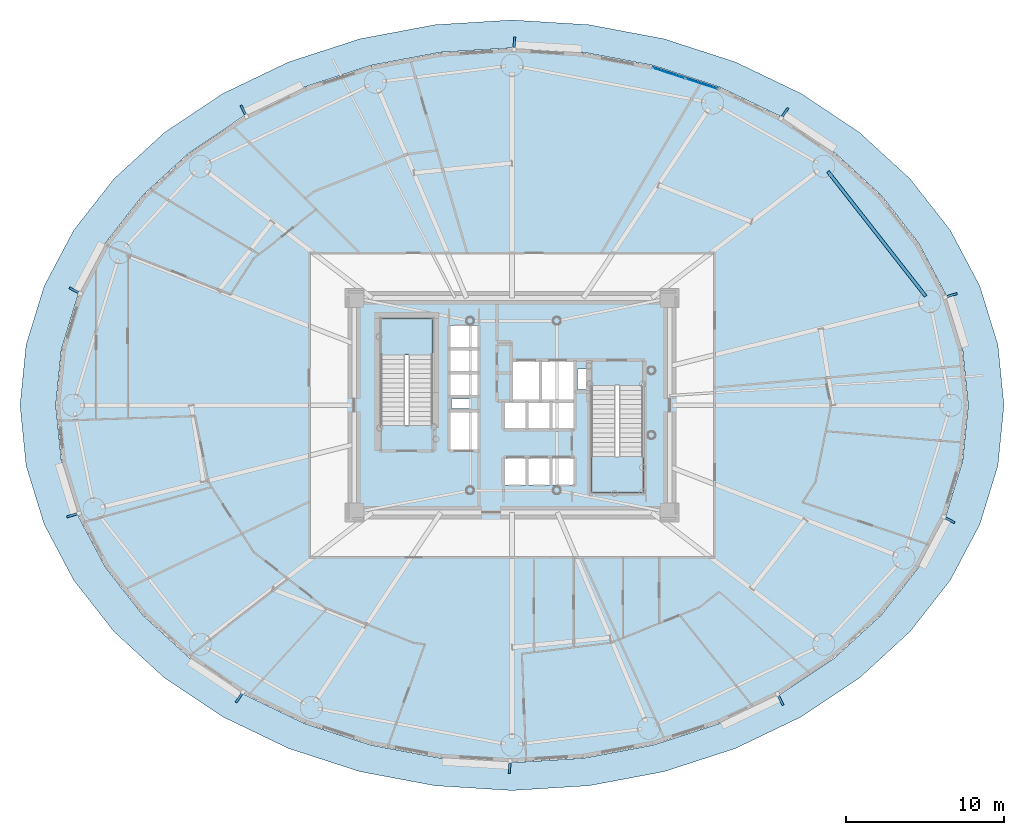
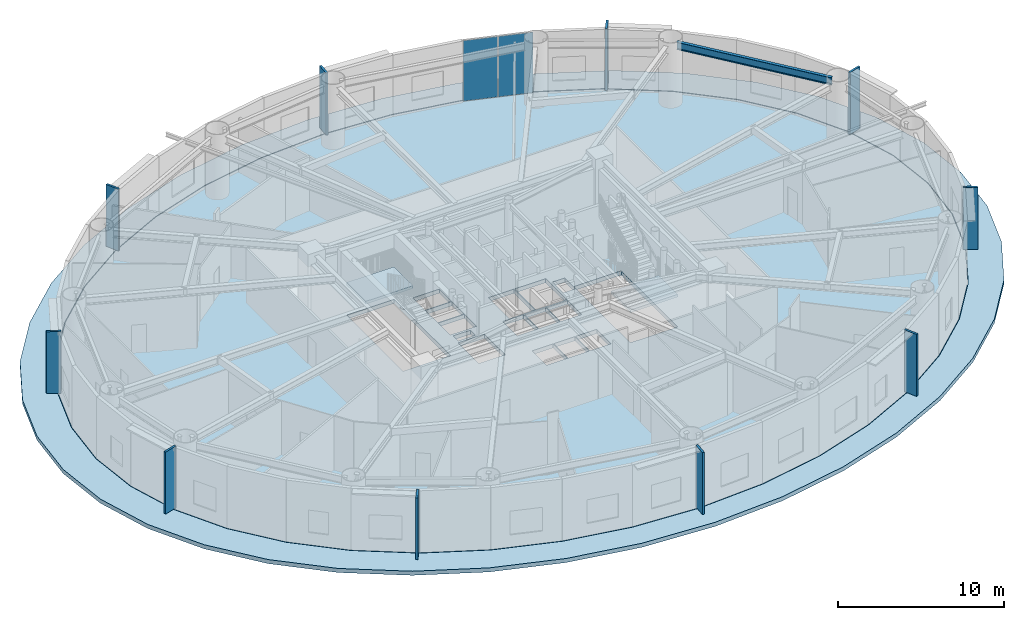
# One storey, part 6 of 19: 12 plates, 4 slabs, 1 beam, 3 elements without a shape of their own.
"""IFC4 building model written with IfcOpenShell, lengths in metres."""

from ifc_helpers import new_model, si_unit, direction, frame, origin, origin_2d, place, context, subcontext, project, spatial, polyline, rectangle, i_section, outline, extrude, source, transform, mapped, material, layer, layer_set, material_profile, profile_set, type_object, element, aggregate, save


model = new_model("IFC4")

# Units and contexts
model_context = context("Model", 3, precision=1e-05, world=origin(), true_north=direction((0.0, 1.0)))
body_context = subcontext(model_context, "Body", "Model", "MODEL_VIEW")
ifc_project = project(units=[si_unit("LENGTHUNIT", "METRE"), si_unit("AREAUNIT", "SQUARE_METRE"), si_unit("VOLUMEUNIT", "CUBIC_METRE"), si_unit("PLANEANGLEUNIT", "RADIAN"), si_unit("MASSUNIT", "GRAM", prefix="KILO")], contexts=[model_context])

# Site, building, storey
site_placement = place(None, origin())
site = spatial("IfcSite", under=ifc_project, at=site_placement, CompositionType="ELEMENT")
building_placement = place(site_placement, origin())
building = spatial("IfcBuilding", under=site, at=building_placement, Name="Linh Dai School and Residence Tower", CompositionType="ELEMENT")
storey_placement = place(building_placement, frame((0.0, 0.0, 92.39990234375)))
storey = spatial("IfcBuildingStorey", under=building, at=storey_placement, Name="L21", CompositionType="ELEMENT", Elevation=92.39990234375)

# Beam
ifc_material_1 = material(Name="Structural Steel S355JR", Category="steel")
ifc_material_profile = material_profile(ifc_material_1, i_section(OverallWidth=0.2099609375, OverallDepth=0.550048828125, WebThickness=0.010986328125, FlangeThickness=0.01708984375, FilletRadius=0.02392578125, at=origin_2d()), Name="IPE 550")
ifc_profile_set = profile_set([ifc_material_profile], Name="Structural Steel S355JR")
beam_type = type_object("IfcBeamType", Name="BM-RB55", PredefinedType="BEAM", material=ifc_profile_set)
beam_placement = place(storey_placement, frame((62.233642578125, 33.91162109375, 4.275146484375), z_axis=(-0.616854830973, 0.787076945098, 0.0), x_axis=(-0.787076945098, -0.616854830973, 0.0)))
element("IfcBeam", 1, at=beam_placement, inside=storey, type_object=beam_type, Name="L21 Perimeter Elliptical Ring Beam 02", PredefinedType="BEAM", context=body_context, shape_type="SweptSolid", body=[
    extrude(i_section(OverallWidth=0.2099609375, OverallDepth=0.550048828125, WebThickness=0.010986328125, FlangeThickness=0.01708984375, FilletRadius=0.02392578125, at=origin_2d()), origin(), (0.0, 0.0, 1.0), 10.053955078125),
])

# Slabs
ifc_material_2 = material(Name="Concrete B45 (C35/45)", Category="concrete")
ifc_layer_1 = layer(ifc_material_2, 0.300048828125)
ifc_layer_set_1 = layer_set([ifc_layer_1], Name="Concrete B45 (C35/45)")
slab_type_1 = type_object("IfcSlabType", Name="SLB-FLR300", PredefinedType="FLOOR", material=ifc_layer_set_1)
slab_1_placement = place(storey_placement, frame((0.0, 0.0, -0.2998046875)))
element("IfcSlab", 2, at=slab_1_placement, inside=storey, type_object=slab_type_1, Name="L21 Composite Structural Floor Slab", PredefinedType="FLOOR", context=body_context, shape_type="SweptSolid", body=[
    extrude(outline(polyline([(64.89990234375, 27.0), (64.544189453125, 30.5400390625), (63.485595703125, 33.9931640625), (61.75, 37.27392578125), (59.380615234375, 40.301513671875), (56.435302734375, 43.001708984375), (52.987060546875, 45.30810546875), (49.120361328125, 47.16357421875), (44.9306640625, 48.5224609375), (40.52099609375, 49.351318359375), (36.0, 49.6298828125), (31.47900390625, 49.351318359375), (27.0693359375, 48.5224609375), (22.879638671875, 47.16357421875), (19.012939453125, 45.30810546875), (15.564697265625, 43.001708984375), (12.619384765625, 40.301513671875), (10.25, 37.27392578125), (8.514404296875, 33.9931640625), (7.455810546875, 30.5400390625), (7.10009765625, 27.0), (7.455810546875, 23.4599609375), (8.514404296875, 20.0068359375), (10.25, 16.72607421875), (12.619384765625, 13.698486328125), (15.564697265625, 10.998291015625), (19.012939453125, 8.69189453125), (22.879638671875, 6.83642578125), (27.0693359375, 5.4775390625), (31.47900390625, 4.648681640625), (36.0, 4.3701171875), (40.52099609375, 4.648681640625), (44.9306640625, 5.4775390625), (49.120361328125, 6.83642578125), (52.987060546875, 8.69189453125), (56.435302734375, 10.998291015625), (59.380615234375, 13.698486328125), (61.75, 16.72607421875), (63.485595703125, 20.0068359375), (64.544189453125, 23.4599609375), (64.89990234375, 27.0)]), holes=[polyline([(30.97998046875, 25.699951171875), (30.97998046875, 32.5), (27.679931640625, 32.5), (27.679931640625, 25.699951171875), (30.97998046875, 25.699951171875)]), polyline([(41.02001953125, 28.25), (41.02001953125, 21.449951171875), (44.320068359375, 21.449951171875), (44.320068359375, 28.25), (41.02001953125, 28.25)]), polyline([(35.97998046875, 27.280029296875), (37.77001953125, 27.280029296875), (37.77001953125, 29.820068359375), (35.97998046875, 29.820068359375), (35.97998046875, 27.280029296875)]), polyline([(32.030029296875, 24.1298828125), (33.8701171875, 24.1298828125), (33.8701171875, 26.6201171875), (32.030029296875, 26.6201171875), (32.030029296875, 24.1298828125)]), polyline([(37.830078125, 27.280029296875), (39.969970703125, 27.280029296875), (39.969970703125, 29.820068359375), (37.830078125, 29.820068359375), (37.830078125, 27.280029296875)]), polyline([(35.47998046875, 21.929931640625), (36.929931640625, 21.929931640625), (36.929931640625, 23.669921875), (35.47998046875, 23.669921875), (35.47998046875, 21.929931640625)]), polyline([(36.989990234375, 21.929931640625), (38.449951171875, 21.929931640625), (38.449951171875, 23.669921875), (36.989990234375, 23.669921875), (36.989990234375, 21.929931640625)]), polyline([(38.510009765625, 21.929931640625), (39.969970703125, 21.929931640625), (39.969970703125, 23.669921875), (38.510009765625, 23.669921875), (38.510009765625, 21.929931640625)]), polyline([(32.030029296875, 27.580078125), (33.8701171875, 27.580078125), (33.8701171875, 29.030029296875), (32.030029296875, 29.030029296875), (32.030029296875, 27.580078125)]), polyline([(32.030029296875, 29.090087890625), (33.8701171875, 29.090087890625), (33.8701171875, 30.550048828125), (32.030029296875, 30.550048828125), (32.030029296875, 29.090087890625)]), polyline([(32.030029296875, 30.610107421875), (33.8701171875, 30.610107421875), (33.8701171875, 32.070068359375), (32.030029296875, 32.070068359375), (32.030029296875, 30.610107421875)]), polyline([(35.47998046875, 25.47998046875), (36.929931640625, 25.47998046875), (36.929931640625, 27.219970703125), (35.47998046875, 27.219970703125), (35.47998046875, 25.47998046875)]), polyline([(36.989990234375, 25.47998046875), (38.449951171875, 25.47998046875), (38.449951171875, 27.219970703125), (36.989990234375, 27.219970703125), (36.989990234375, 25.47998046875)]), polyline([(38.510009765625, 25.47998046875), (39.969970703125, 25.47998046875), (39.969970703125, 27.219970703125), (38.510009765625, 27.219970703125), (38.510009765625, 25.47998046875)]), polyline([(40.14990234375, 28.0), (40.14990234375, 29.300048828125), (41.0, 29.300048828125), (41.0, 28.280029296875), (40.989990234375, 28.280029296875), (40.989990234375, 28.0), (40.14990234375, 28.0)]), polyline([(32.14990234375, 26.800048828125), (33.35009765625, 26.800048828125), (33.35009765625, 27.39990234375), (32.14990234375, 27.39990234375), (32.14990234375, 26.800048828125)])]), origin(), (0.0, 0.0, 1.0), 0.2998046875),
])
ifc_layer_2 = layer(ifc_material_2, 0.300048828125)
ifc_layer_set_2 = layer_set([ifc_layer_2], Name="Concrete B45 (C35/45)")
slab_type_2 = type_object("IfcSlabType", Name="SLB-ROOF300", PredefinedType="ROOF", material=ifc_layer_set_2)
slab_2_placement = place(storey_placement, frame((0.0, 0.0, -0.2998046875)))
element("IfcSlab", 3, at=slab_2_placement, inside=storey, type_object=slab_type_2, Name="L21 Setback Step Insulated Roof Slab", PredefinedType="ROOF", context=body_context, shape_type="SweptSolid", body=[
    extrude(outline(polyline([(67.199951171875, 27.0), (66.81591796875, 30.82177734375), (65.6728515625, 34.54931640625), (63.79931640625, 38.091064453125), (61.2412109375, 41.359619140625), (58.061767578125, 44.274658203125), (54.3388671875, 46.764404296875), (50.16455078125, 48.767333984375), (45.641357421875, 50.234375), (40.880859375, 51.129150390625), (36.0, 51.429931640625), (31.119140625, 51.129150390625), (26.358642578125, 50.234375), (21.83544921875, 48.767333984375), (17.6611328125, 46.764404296875), (13.938232421875, 44.274658203125), (10.7587890625, 41.359619140625), (8.20068359375, 38.091064453125), (6.3271484375, 34.54931640625), (5.18408203125, 30.82177734375), (4.800048828125, 27.0), (5.18408203125, 23.17822265625), (6.3271484375, 19.45068359375), (8.20068359375, 15.908935546875), (10.7587890625, 12.640380859375), (13.938232421875, 9.725341796875), (17.6611328125, 7.235595703125), (21.83544921875, 5.232666015625), (26.358642578125, 3.765625), (31.119140625, 2.870849609375), (36.0, 2.570068359375), (40.880859375, 2.870849609375), (45.641357421875, 3.765625), (50.16455078125, 5.232666015625), (54.3388671875, 7.235595703125), (58.061767578125, 9.725341796875), (61.2412109375, 12.640380859375), (63.79931640625, 15.908935546875), (65.6728515625, 19.45068359375), (66.81591796875, 23.17822265625), (67.199951171875, 27.0)]), holes=[polyline([(64.929931640625, 27.0), (64.57373046875, 30.544921875), (63.51416015625, 34.00244140625), (61.77685546875, 37.287353515625), (59.40478515625, 40.3193359375), (56.45654296875, 43.02294921875), (53.004638671875, 45.332275390625), (49.134033203125, 47.190185546875), (44.93994140625, 48.551025390625), (40.525634765625, 49.381103515625), (36.0, 49.659912109375), (31.474365234375, 49.381103515625), (27.06005859375, 48.551025390625), (22.865966796875, 47.190185546875), (18.995361328125, 45.332275390625), (15.54345703125, 43.02294921875), (12.59521484375, 40.3193359375), (10.22314453125, 37.287353515625), (8.48583984375, 34.00244140625), (7.42626953125, 30.544921875), (7.070068359375, 27.0), (7.42626953125, 23.455078125), (8.48583984375, 19.99755859375), (10.22314453125, 16.712646484375), (12.59521484375, 13.6806640625), (15.54345703125, 10.97705078125), (18.995361328125, 8.667724609375), (22.865966796875, 6.809814453125), (27.06005859375, 5.448974609375), (31.474365234375, 4.618896484375), (36.0, 4.340087890625), (40.525634765625, 4.618896484375), (44.93994140625, 5.448974609375), (49.134033203125, 6.809814453125), (53.004638671875, 8.667724609375), (56.45654296875, 10.97705078125), (59.40478515625, 13.6806640625), (61.77685546875, 16.712646484375), (63.51416015625, 19.99755859375), (64.57373046875, 23.455078125), (64.929931640625, 27.0)])]), origin(), (0.0, 0.0, 1.0), 0.2998046875),
])

# Stair, slab
stair_type = type_object("IfcStairType", Name="ST-DOG-1550-R1500", PredefinedType="HALF_TURN_STAIR", material=ifc_material_2)
stair_1_placement = place(storey_placement, origin())
stair_1 = element("IfcStair", 4, at=stair_1_placement, inside=storey, type_object=stair_type, Name="L21 Core Smokeproof Exit Stair ST1", PredefinedType="HALF_TURN_STAIR")
ifc_layer_3 = layer(ifc_material_2, 0.199951171875)
ifc_layer_set_3 = layer_set([ifc_layer_3], Name="Concrete B45 (C35/45)")
slab_type_3 = type_object("IfcSlabType", Name="SLB-ST-LANDING-200", PredefinedType="LANDING", material=ifc_layer_set_3)
slab_3_placement = place(storey_placement, frame((0.0, 0.0, 2.2001953125)))
slab_3 = element("IfcSlab", 5, at=slab_3_placement, type_object=slab_type_3, Name="ST1 landing 1", PredefinedType="LANDING", context=body_context, shape_type="SweptSolid", body=[
    extrude(outline(polyline([(30.97998046875, 30.199951171875), (30.97998046875, 32.5), (27.679931640625, 32.5), (27.679931640625, 30.199951171875), (30.97998046875, 30.199951171875)])), origin(), (0.0, 0.0, 1.0), 0.199951171875),
])
aggregate(stair_1, [slab_3])

stair_2_placement = place(storey_placement, origin())
stair_2 = element("IfcStair", 6, at=stair_2_placement, inside=storey, type_object=stair_type, Name="L21 Core Smokeproof Exit Stair ST2", PredefinedType="HALF_TURN_STAIR")
slab_4_placement = place(storey_placement, frame((0.0, 0.0, 2.2001953125)))
slab_4 = element("IfcSlab", 7, at=slab_4_placement, type_object=slab_type_3, Name="ST2 landing 1", PredefinedType="LANDING", context=body_context, shape_type="SweptSolid", body=[
    extrude(outline(polyline([(41.02001953125, 23.75), (41.02001953125, 21.449951171875), (44.320068359375, 21.449951171875), (44.320068359375, 23.75), (41.02001953125, 23.75)])), origin(), (0.0, 0.0, 1.0), 0.199951171875),
])
aggregate(stair_2, [slab_4])

# Plates
ifc_material_3 = material(Name="Precast Concrete B45 (C35/45)", Category="concrete")
ifc_layer_4 = layer(ifc_material_3, 0.139892578125)
ifc_layer_set_4 = layer_set([ifc_layer_4], Name="Precast Concrete B45 (C35/45)")
plate_type_1 = type_object("IfcPlateType", Name="FIN-TC-900x140", PredefinedType="USERDEFINED", material=ifc_layer_set_4)
shared_shape_1 = source(origin(), body_context, "Body", "SweptSolid", [
    extrude(rectangle(XDim=0.89990234375, YDim=0.139892578125, at=origin_2d()), origin(), (0.0, 0.0, 1.0), 4.550048828125),
])
for number, where, z_axis, x_axis, name in (
    (8, (63.79736328125, 33.95068359375, 0.0), (0.0, 0.0, 1.0), (0.956071511028, 0.293133528962, 0.0), "L21 Precast Terracotta Radial Fin 02"),
    (9, (53.2529296875, 45.473388671875, 0.0), (0.0, 0.0, 1.0), (0.555913198527, 0.831240347736, 0.0), "L21 Precast Terracotta Radial Fin 06"),
    (10, (36.14501953125, 49.90673828125, 0.0), (0.0, 0.0, 1.0), (0.061509255091, 0.998106513123, 0.0), "L21 Precast Terracotta Radial Fin 10"),
    (11, (19.005615234375, 45.620849609375, 0.0), (0.0, 0.0, 1.0), (-0.432617589064, 0.901577518371, 0.0), "L21 Precast Terracotta Radial Fin 14"),
    (12, (8.32373046875, 34.242919921875, 0.0), (0.0, 0.0, 1.0), (-0.883942180016, 0.467596217252, 0.0), "L21 Precast Terracotta Radial Fin 18"),
    (13, (8.20263671875, 20.04931640625, 0.0), (0.0, 0.0, 1.0), (-0.956071511028, -0.293133528962, 0.0), "L21 Precast Terracotta Radial Fin 22"),
    (14, (18.7470703125, 8.526611328125, 0.0), (0.0, 0.0, 1.0), (-0.555913198527, -0.831240347736, 0.0), "L21 Precast Terracotta Radial Fin 26"),
    (15, (35.85498046875, 4.09326171875, 0.0), (0.0, 0.0, 1.0), (-0.061509255091, -0.998106513123, 0.0), "L21 Precast Terracotta Radial Fin 30"),
    (16, (52.994384765625, 8.379150390625, 0.0), (0.0, 0.0, 1.0), (0.432617589064, -0.901577518371, 0.0), "L21 Precast Terracotta Radial Fin 34"),
    (17, (63.67626953125, 19.757080078125, 0.0), (0.0, 0.0, 1.0), (0.883942180016, -0.467596217252, 0.0), "L21 Precast Terracotta Radial Fin 38"),
):
    element("IfcPlate", number, at=place(storey_placement, frame(where, z_axis=z_axis, x_axis=x_axis)), inside=storey, type_object=plate_type_1, Name=name, ObjectType="RADIAL FIN", PredefinedType="USERDEFINED", context=body_context, shape_type="MappedRepresentation", body=[
        mapped(shared_shape_1, transform((0.0, 0.0, 0.0), x_axis=(1.0, 0.0, 0.0), y_axis=(0.0, 1.0, 0.0), z_axis=(0.0, 0.0, 1.0), scale=1.0)),
    ])

# Curtain wall, plates
ifc_material_4 = material(Name="Aluminium Anodised Curtain Wall", Category="aluminium")
ifc_layer_5 = layer(ifc_material_4, 0.14990234375)
ifc_layer_set_5 = layer_set([ifc_layer_5], Name="Aluminium Anodised Curtain Wall")
curtain_wall_type = type_object("IfcCurtainWallType", Name="CW-SYS-4", PredefinedType="USERDEFINED", material=ifc_layer_set_5)
curtain_wall_placement = place(storey_placement, origin())
curtain_wall = element("IfcCurtainWall", 18, at=curtain_wall_placement, inside=storey, type_object=curtain_wall_type, Name="L21 CW4 Curtain Wall 08", ObjectType="RIBBON CURTAIN WALL", PredefinedType="USERDEFINED")
ifc_material_5 = material(Name="Double Low-E Insulated Glazing", Category="glass")
ifc_layer_6 = layer(ifc_material_5, 0.02587890625)
ifc_layer_set_6 = layer_set([ifc_layer_6], Name="Double Low-E Insulated Glazing")
plate_type_2 = type_object("IfcPlateType", Name="CW-SYS-4-PAN", PredefinedType="CURTAIN_PANEL", material=ifc_layer_set_6)
shared_shape_2 = source(origin(), body_context, "Body", "SweptSolid", [
    extrude(rectangle(XDim=2.1162109375, YDim=0.02587890625, at=origin_2d()), origin(), (0.0, 0.0, 1.0), 4.446044921875),
])
plate_1_placement = place(storey_placement, frame((45.955810546875, 48.058837890625, 0.05224609375), z_axis=(0.0, 0.0, 1.0), x_axis=(0.951217089442, -0.308522363457, 0.0)))
plate_1 = element("IfcPlate", 19, at=plate_1_placement, type_object=plate_type_2, Name="CW4 panel 1.1", PredefinedType="CURTAIN_PANEL", context=body_context, shape_type="MappedRepresentation", body=[
    mapped(shared_shape_2, transform((0.0, 0.0, 0.0), x_axis=(1.0, 0.0, 0.0), y_axis=(0.0, 1.0, 0.0), z_axis=(0.0, 0.0, 1.0), scale=1.0)),
])
plate_2_placement = place(storey_placement, frame((48.01806640625, 47.389892578125, 0.05224609375), z_axis=(0.0, 0.0, 1.0), x_axis=(0.951217089442, -0.308522363457, 0.0)))
plate_2 = element("IfcPlate", 20, at=plate_2_placement, type_object=plate_type_2, Name="CW4 panel 2.1", PredefinedType="CURTAIN_PANEL", context=body_context, shape_type="MappedRepresentation", body=[
    mapped(shared_shape_2, transform((0.0, 0.0, 0.0), x_axis=(1.0, 0.0, 0.0), y_axis=(0.0, 1.0, 0.0), z_axis=(0.0, 0.0, 1.0), scale=1.0)),
])
aggregate(curtain_wall, [plate_1, plate_2])

save(model, "model.ifc")
